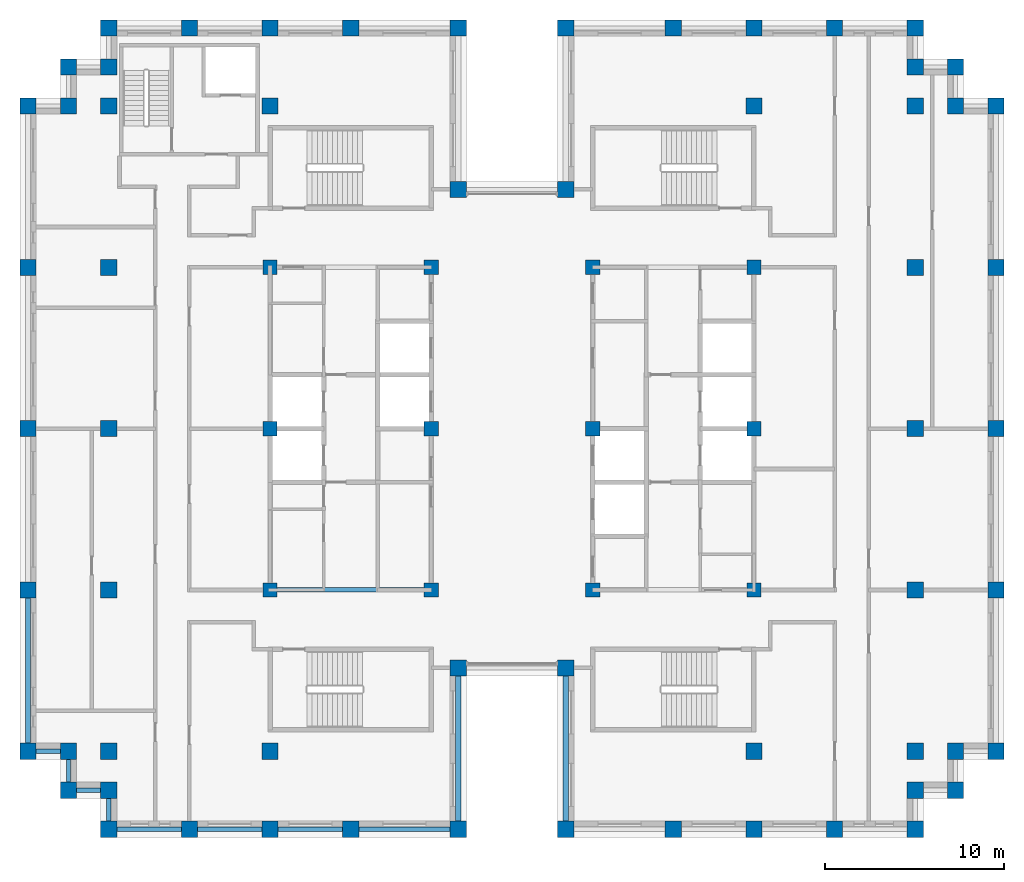
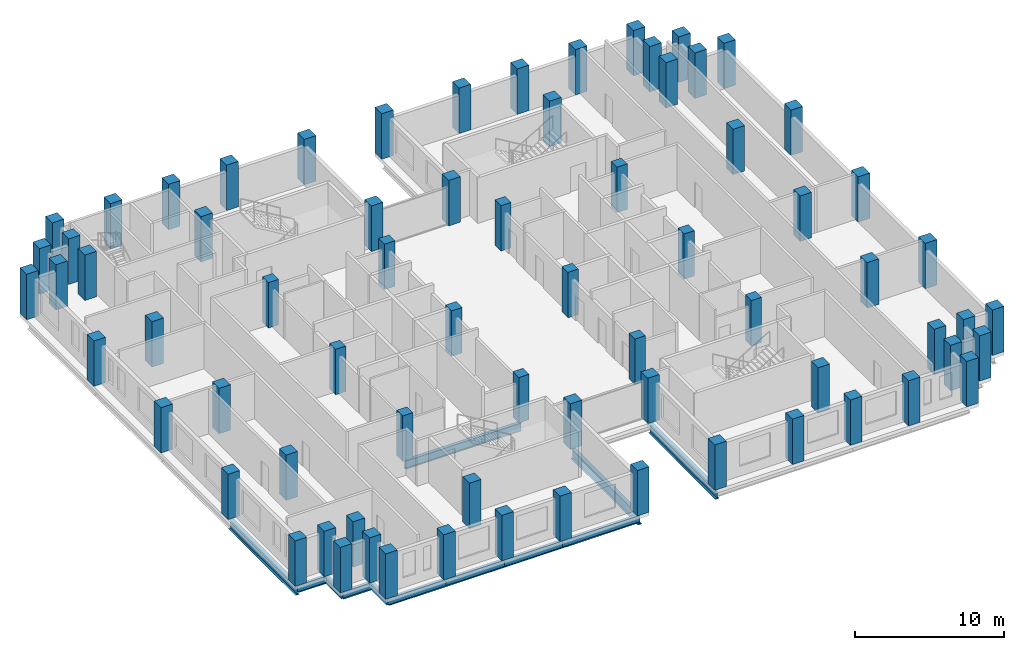
# One storey, part 1 of 13: 72 columns, 12 beams.
"""IFC4 building model written with IfcOpenShell, lengths in metres."""

from ifc_helpers import new_model, si_unit, direction, frame, origin, origin_2d, place, context, subcontext, project, spatial, rectangle, i_section, extrude, material, material_profile, profile_set, type_object, element, save


model = new_model("IFC4")

# Units and contexts
model_context = context("Model", 3, precision=1e-05, world=origin(), true_north=direction((0.0, 1.0)))
body_context = subcontext(model_context, "Body", "Model", "MODEL_VIEW")
ifc_project = project(units=[si_unit("LENGTHUNIT", "METRE"), si_unit("AREAUNIT", "SQUARE_METRE"), si_unit("VOLUMEUNIT", "CUBIC_METRE"), si_unit("PLANEANGLEUNIT", "RADIAN"), si_unit("MASSUNIT", "GRAM", prefix="KILO")], contexts=[model_context])

# Site, building, storey
site_placement = place(None, origin())
site = spatial("IfcSite", under=ifc_project, at=site_placement, CompositionType="ELEMENT")
building_placement = place(site_placement, origin())
building = spatial("IfcBuilding", under=site, at=building_placement, Name="Corbelhall Arena Tower", CompositionType="ELEMENT")
storey_placement = place(building_placement, frame((0.0, 0.0, 270.0)))
storey = spatial("IfcBuildingStorey", under=building, at=storey_placement, Name="L58", CompositionType="ELEMENT", Elevation=270.0)

# Columns
ifc_material_1 = material(Name="Concrete C80/95", Category="concrete")
ifc_material_profile_1 = material_profile(ifc_material_1, rectangle(XDim=0.800048828125, YDim=0.800048828125, at=origin_2d()))
ifc_profile_set_1 = profile_set([ifc_material_profile_1], Name="Concrete C80/95")
column_type_1 = type_object("IfcColumnType", Name="ST-COL-RC 800x800", PredefinedType="COLUMN", material=ifc_profile_set_1)
for number, where, z_axis, x_axis, name in (
    (1, (4.5, 0.0, 0.0), (0.0, 0.0, 1.0), (1.0, 0.0, 0.0), "Column KE+0450+0000"),
    (2, (4.5, 9.0, 0.0), (0.0, 0.0, 1.0), (1.0, 0.0, 0.0), "Column KE+0450+0900"),
    (3, (4.5, -9.0, 0.0), (0.0, 0.0, 1.0), (1.0, 0.0, 0.0), "Column KE+0450-0900"),
    (4, (13.5, 0.0, 0.0), (0.0, 0.0, 1.0), (1.0, 0.0, 0.0), "Column KE+1350+0000"),
    (5, (13.5, 9.0, 0.0), (0.0, 0.0, 1.0), (1.0, 0.0, 0.0), "Column KE+1350+0900"),
    (6, (13.5, -9.0, 0.0), (0.0, 0.0, 1.0), (1.0, 0.0, 0.0), "Column KE+1350-0900"),
    (7, (-4.5, 0.0, 0.0), (0.0, 0.0, 1.0), (1.0, 0.0, 0.0), "Column KW-0450+0000"),
    (8, (-4.5, 9.0, 0.0), (0.0, 0.0, 1.0), (1.0, 0.0, 0.0), "Column KW-0450+0900"),
    (9, (-4.5, -9.0, 0.0), (0.0, 0.0, 1.0), (1.0, 0.0, 0.0), "Column KW-0450-0900"),
    (10, (-13.5, 0.0, 0.0), (0.0, 0.0, 1.0), (1.0, 0.0, 0.0), "Column KW-1350+0000"),
    (11, (-13.5, 9.0, 0.0), (0.0, 0.0, 1.0), (1.0, 0.0, 0.0), "Column KW-1350+0900"),
    (12, (-13.5, -9.0, 0.0), (0.0, 0.0, 1.0), (1.0, 0.0, 0.0), "Column KW-1350-0900"),
):
    element("IfcColumn", number, at=place(storey_placement, frame(where, z_axis=z_axis, x_axis=x_axis)), inside=storey, type_object=column_type_1, Name=name, PredefinedType="COLUMN", context=body_context, shape_type="SweptSolid", body=[
        extrude(rectangle(XDim=0.800048828125, YDim=0.800048828125, at=origin_2d()), origin(), (0.0, 0.0, 1.0), 3.719970703125),
    ])
ifc_material_profile_2 = material_profile(ifc_material_1, rectangle(XDim=0.89990234375, YDim=0.89990234375, at=origin_2d()))
ifc_profile_set_2 = profile_set([ifc_material_profile_2], Name="Concrete C80/95")
column_type_2 = type_object("IfcColumnType", Name="ST-COL-RC 900x900", PredefinedType="COLUMN", material=ifc_profile_set_2)
for number, where, z_axis, x_axis, name in (
    (13, (13.5, 18.0, 0.0), (0.0, 0.0, 1.0), (1.0, 0.0, 0.0), "Column IE13+1800"),
    (14, (13.5, -18.0, 0.0), (0.0, 0.0, 1.0), (1.0, 0.0, 0.0), "Column IE13-1800"),
    (15, (22.5, 0.0, 0.0), (0.0, 0.0, 1.0), (1.0, 0.0, 0.0), "Column IE22+0000"),
    (16, (22.5, 9.0, 0.0), (0.0, 0.0, 1.0), (1.0, 0.0, 0.0), "Column IE22+0900"),
    (17, (22.5, 18.0, 0.0), (0.0, 0.0, 1.0), (1.0, 0.0, 0.0), "Column IE22+1800"),
    (18, (22.5, -9.0, 0.0), (0.0, 0.0, 1.0), (1.0, 0.0, 0.0), "Column IE22-0900"),
    (19, (22.5, -18.0, 0.0), (0.0, 0.0, 1.0), (1.0, 0.0, 0.0), "Column IE22-1800"),
    (20, (-13.5, 18.0, 0.0), (0.0, 0.0, 1.0), (1.0, 0.0, 0.0), "Column IW13+1800"),
    (21, (-13.5, -18.0, 0.0), (0.0, 0.0, 1.0), (1.0, 0.0, 0.0), "Column IW13-1800"),
    (22, (-22.5, 0.0, 0.0), (0.0, 0.0, 1.0), (1.0, 0.0, 0.0), "Column IW22+0000"),
    (23, (-22.5, 9.0, 0.0), (0.0, 0.0, 1.0), (1.0, 0.0, 0.0), "Column IW22+0900"),
    (24, (-22.5, 18.0, 0.0), (0.0, 0.0, 1.0), (1.0, 0.0, 0.0), "Column IW22+1800"),
    (25, (-22.5, -9.0, 0.0), (0.0, 0.0, 1.0), (1.0, 0.0, 0.0), "Column IW22-0900"),
    (26, (-22.5, -18.0, 0.0), (0.0, 0.0, 1.0), (1.0, 0.0, 0.0), "Column IW22-1800"),
    (27, (27.0, 0.0, 0.0), (0.0, 0.0, 1.0), (0.0, 1.0, 0.0), "Column PE+0000"),
    (28, (27.0, 9.0, 0.0), (0.0, 0.0, 1.0), (0.0, 1.0, 0.0), "Column PE+0900"),
    (29, (27.0, 18.0, 0.0), (0.0, 0.0, 1.0), (0.0, 1.0, 0.0), "Column PE+1800"),
    (30, (27.0, -9.0, 0.0), (0.0, 0.0, 1.0), (0.0, 1.0, 0.0), "Column PE-0900"),
    (31, (27.0, -18.0, 0.0), (0.0, 0.0, 1.0), (0.0, 1.0, 0.0), "Column PE-1800"),
    (32, (3.0, 22.35009765625, 0.0), (0.0, 0.0, 1.0), (1.0, 0.0, 0.0), "Column PNE0300"),
    (33, (9.0, 22.35009765625, 0.0), (0.0, 0.0, 1.0), (1.0, 0.0, 0.0), "Column PNE0900"),
    (34, (13.5, 22.35009765625, 0.0), (0.0, 0.0, 1.0), (1.0, 0.0, 0.0), "Column PNE1350"),
    (35, (18.0, 22.35009765625, 0.0), (0.0, 0.0, 1.0), (1.0, 0.0, 0.0), "Column PNE1800"),
    (36, (22.5, 22.35009765625, 0.0), (0.0, 0.0, 1.0), (1.0, 0.0, 0.0), "Column PNE2250"),
    (37, (-3.0, 22.35009765625, 0.0), (0.0, 0.0, 1.0), (1.0, 0.0, 0.0), "Column PNW0300"),
    (38, (-9.0, 22.35009765625, 0.0), (0.0, 0.0, 1.0), (1.0, 0.0, 0.0), "Column PNW0900"),
    (39, (-13.5, 22.35009765625, 0.0), (0.0, 0.0, 1.0), (1.0, 0.0, 0.0), "Column PNW1350"),
    (40, (-18.0, 22.35009765625, 0.0), (0.0, 0.0, 1.0), (1.0, 0.0, 0.0), "Column PNW1800"),
    (41, (-22.5, 22.35009765625, 0.0), (0.0, 0.0, 1.0), (1.0, 0.0, 0.0), "Column PNW2250"),
    (42, (3.0, -22.35009765625, 0.0), (0.0, 0.0, 1.0), (1.0, 0.0, 0.0), "Column PSE0300"),
    (43, (9.0, -22.35009765625, 0.0), (0.0, 0.0, 1.0), (1.0, 0.0, 0.0), "Column PSE0900"),
    (44, (13.5, -22.35009765625, 0.0), (0.0, 0.0, 1.0), (1.0, 0.0, 0.0), "Column PSE1350"),
    (45, (18.0, -22.35009765625, 0.0), (0.0, 0.0, 1.0), (1.0, 0.0, 0.0), "Column PSE1800"),
    (46, (22.5, -22.35009765625, 0.0), (0.0, 0.0, 1.0), (1.0, 0.0, 0.0), "Column PSE2250"),
    (47, (-3.0, -22.35009765625, 0.0), (0.0, 0.0, 1.0), (1.0, 0.0, 0.0), "Column PSW0300"),
    (48, (-9.0, -22.35009765625, 0.0), (0.0, 0.0, 1.0), (1.0, 0.0, 0.0), "Column PSW0900"),
    (49, (-13.5, -22.35009765625, 0.0), (0.0, 0.0, 1.0), (1.0, 0.0, 0.0), "Column PSW1350"),
    (50, (-18.0, -22.35009765625, 0.0), (0.0, 0.0, 1.0), (1.0, 0.0, 0.0), "Column PSW1800"),
    (51, (-22.5, -22.35009765625, 0.0), (0.0, 0.0, 1.0), (1.0, 0.0, 0.0), "Column PSW2250"),
    (52, (-27.0, 0.0, 0.0), (0.0, 0.0, 1.0), (0.0, 1.0, 0.0), "Column PW+0000"),
    (53, (-27.0, 9.0, 0.0), (0.0, 0.0, 1.0), (0.0, 1.0, 0.0), "Column PW+0900"),
    (54, (-27.0, 18.0, 0.0), (0.0, 0.0, 1.0), (0.0, 1.0, 0.0), "Column PW+1800"),
    (55, (-27.0, -9.0, 0.0), (0.0, 0.0, 1.0), (0.0, 1.0, 0.0), "Column PW-0900"),
    (56, (-27.0, -18.0, 0.0), (0.0, 0.0, 1.0), (0.0, 1.0, 0.0), "Column PW-1800"),
    (57, (3.0, 13.35009765625, 0.0), (0.0, 0.0, 1.0), (1.0, 0.0, 0.0), "Column SLNE2"),
    (58, (-3.0, 13.35009765625, 0.0), (0.0, 0.0, 1.0), (1.0, 0.0, 0.0), "Column SLNW2"),
    (59, (3.0, -13.35009765625, 0.0), (0.0, 0.0, 1.0), (1.0, 0.0, 0.0), "Column SLSE2"),
    (60, (-3.0, -13.35009765625, 0.0), (0.0, 0.0, 1.0), (1.0, 0.0, 0.0), "Column SLSW2"),
    (61, (22.5, 20.175048828125, 0.0), (0.0, 0.0, 1.0), (1.0, 0.0, 0.0), "Column XNE1"),
    (62, (24.75, 20.175048828125, 0.0), (0.0, 0.0, 1.0), (1.0, 0.0, 0.0), "Column XNE2"),
    (63, (24.75, 18.0, 0.0), (0.0, 0.0, 1.0), (1.0, 0.0, 0.0), "Column XNE3"),
    (64, (-22.5, 20.175048828125, 0.0), (0.0, 0.0, 1.0), (1.0, 0.0, 0.0), "Column XNW1"),
    (65, (-24.75, 20.175048828125, 0.0), (0.0, 0.0, 1.0), (1.0, 0.0, 0.0), "Column XNW2"),
    (66, (-24.75, 18.0, 0.0), (0.0, 0.0, 1.0), (1.0, 0.0, 0.0), "Column XNW3"),
    (67, (22.5, -20.175048828125, 0.0), (0.0, 0.0, 1.0), (1.0, 0.0, 0.0), "Column XSE1"),
    (68, (24.75, -20.175048828125, 0.0), (0.0, 0.0, 1.0), (1.0, 0.0, 0.0), "Column XSE2"),
    (69, (24.75, -18.0, 0.0), (0.0, 0.0, 1.0), (1.0, 0.0, 0.0), "Column XSE3"),
    (70, (-22.5, -20.175048828125, 0.0), (0.0, 0.0, 1.0), (1.0, 0.0, 0.0), "Column XSW1"),
    (71, (-24.75, -20.175048828125, 0.0), (0.0, 0.0, 1.0), (1.0, 0.0, 0.0), "Column XSW2"),
    (72, (-24.75, -18.0, 0.0), (0.0, 0.0, 1.0), (1.0, 0.0, 0.0), "Column XSW3"),
):
    element("IfcColumn", number, at=place(storey_placement, frame(where, z_axis=z_axis, x_axis=x_axis)), inside=storey, type_object=column_type_2, Name=name, PredefinedType="COLUMN", context=body_context, shape_type="SweptSolid", body=[
        extrude(rectangle(XDim=0.89990234375, YDim=0.89990234375, at=origin_2d()), origin(), (0.0, 0.0, 1.0), 3.719970703125),
    ])

# Beams
ifc_material_2 = material(Name="Steel ASTM A992 Gr50", Category="steel")
ifc_material_profile_3 = material_profile(ifc_material_2, i_section(OverallWidth=0.25390625, OverallDepth=0.67822265625, WebThickness=0.01171875, FlangeThickness=0.016357421875, at=origin_2d()))
ifc_profile_set_3 = profile_set([ifc_material_profile_3], Name="Steel ASTM A992 Gr50")
beam_type_1 = type_object("IfcBeamType", Name="ST-BEAM-W27x84", PredefinedType="BEAM", material=ifc_profile_set_3)
beam_1_placement = place(storey_placement, frame((-13.5, -9.0, -0.619140625), z_axis=(1.0, 0.0, 0.0), x_axis=(0.0, 1.0, 0.0)))
element("IfcBeam", 73, at=beam_1_placement, inside=storey, type_object=beam_type_1, Name="Beam CEW 5", PredefinedType="BEAM", context=body_context, shape_type="SweptSolid", body=[
    extrude(i_section(OverallWidth=0.25390625, OverallDepth=0.67822265625, WebThickness=0.01171875, FlangeThickness=0.016357421875, at=origin_2d()), origin(), (0.0, 0.0, 1.0), 9.0),
])
ifc_material_profile_4 = material_profile(ifc_material_2, i_section(OverallWidth=0.227783203125, OverallDepth=0.60205078125, WebThickness=0.010498046875, FlangeThickness=0.014892578125, at=origin_2d()))
ifc_profile_set_4 = profile_set([ifc_material_profile_4], Name="Steel ASTM A992 Gr50")
beam_type_2 = type_object("IfcBeamType", Name="ST-SPANDREL-W24x68", PredefinedType="SPANDREL", material=ifc_profile_set_4)
beam_2_placement = place(storey_placement, frame((-3.0, -22.35009765625, -0.5810546875), z_axis=(-1.0, 0.0, 0.0), x_axis=(0.0, -1.0, 0.0)))
element("IfcBeam", 74, at=beam_2_placement, inside=storey, type_object=beam_type_2, Name="Beam SP 21", PredefinedType="SPANDREL", context=body_context, shape_type="SweptSolid", body=[
    extrude(i_section(OverallWidth=0.227783203125, OverallDepth=0.60205078125, WebThickness=0.010498046875, FlangeThickness=0.014892578125, at=origin_2d()), origin(), (0.0, 0.0, 1.0), 6.0),
])
for number, where, z_axis, x_axis, name in (
    (75, (-9.0, -22.35009765625, -0.5810546875), (-1.0, 0.0, 0.0), (0.0, -1.0, 0.0), "Beam SP 22"),
    (76, (-13.5, -22.35009765625, -0.5810546875), (-1.0, 0.0, 0.0), (0.0, -1.0, 0.0), "Beam SP 23"),
    (77, (-18.0, -22.35009765625, -0.5810546875), (-1.0, 0.0, 0.0), (0.0, -1.0, 0.0), "Beam SP 24"),
):
    element("IfcBeam", number, at=place(storey_placement, frame(where, z_axis=z_axis, x_axis=x_axis)), inside=storey, type_object=beam_type_2, Name=name, PredefinedType="SPANDREL", context=body_context, shape_type="SweptSolid", body=[
        extrude(i_section(OverallWidth=0.227783203125, OverallDepth=0.60205078125, WebThickness=0.010498046875, FlangeThickness=0.014892578125, at=origin_2d()), origin(), (0.0, 0.0, 1.0), 4.5),
    ])
beam_3_placement = place(storey_placement, frame((-22.5, -22.35009765625, -0.5810546875), z_axis=(0.0, 1.0, 0.0), x_axis=(-1.0, 0.0, 0.0)))
element("IfcBeam", 78, at=beam_3_placement, inside=storey, type_object=beam_type_2, Name="Beam SP 25", PredefinedType="SPANDREL", context=body_context, shape_type="SweptSolid", body=[
    extrude(i_section(OverallWidth=0.227783203125, OverallDepth=0.60205078125, WebThickness=0.010498046875, FlangeThickness=0.014892578125, at=origin_2d()), origin(), (0.0, 0.0, 1.0), 2.175048828125),
])
beam_4_placement = place(storey_placement, frame((-22.5, -20.175048828125, -0.5810546875), z_axis=(-1.0, 0.0, 0.0), x_axis=(0.0, -1.0, 0.0)))
element("IfcBeam", 79, at=beam_4_placement, inside=storey, type_object=beam_type_2, Name="Beam SP 44", PredefinedType="SPANDREL", context=body_context, shape_type="SweptSolid", body=[
    extrude(i_section(OverallWidth=0.227783203125, OverallDepth=0.60205078125, WebThickness=0.010498046875, FlangeThickness=0.014892578125, at=origin_2d()), origin(), (0.0, 0.0, 1.0), 2.25),
])
beam_5_placement = place(storey_placement, frame((-24.75, -20.175048828125, -0.5810546875), z_axis=(0.0, 1.0, 0.0), x_axis=(-1.0, 0.0, 0.0)))
element("IfcBeam", 80, at=beam_5_placement, inside=storey, type_object=beam_type_2, Name="Beam SP 45", PredefinedType="SPANDREL", context=body_context, shape_type="SweptSolid", body=[
    extrude(i_section(OverallWidth=0.227783203125, OverallDepth=0.60205078125, WebThickness=0.010498046875, FlangeThickness=0.014892578125, at=origin_2d()), origin(), (0.0, 0.0, 1.0), 2.175048828125),
])
beam_6_placement = place(storey_placement, frame((-24.75, -18.0, -0.5810546875), z_axis=(-1.0, 0.0, 0.0), x_axis=(0.0, -1.0, 0.0)))
element("IfcBeam", 81, at=beam_6_placement, inside=storey, type_object=beam_type_2, Name="Beam SP 46", PredefinedType="SPANDREL", context=body_context, shape_type="SweptSolid", body=[
    extrude(i_section(OverallWidth=0.227783203125, OverallDepth=0.60205078125, WebThickness=0.010498046875, FlangeThickness=0.014892578125, at=origin_2d()), origin(), (0.0, 0.0, 1.0), 2.25),
])
ifc_material_profile_5 = material_profile(ifc_material_2, i_section(OverallWidth=0.2919921875, OverallDepth=0.845703125, WebThickness=0.015380859375, FlangeThickness=0.0244140625, at=origin_2d()))
ifc_profile_set_5 = profile_set([ifc_material_profile_5], Name="Steel ASTM A992 Gr50")
beam_type_3 = type_object("IfcBeamType", Name="ST-SPANDREL-W33x141", PredefinedType="SPANDREL", material=ifc_profile_set_5)
for number, where, z_axis, x_axis, name in (
    (82, (3.0, -22.35009765625, -0.702880859375), (0.0, 1.0, 0.0), (-1.0, 0.0, 0.0), "Beam SP 16"),
    (83, (-27.0, -18.0, -0.702880859375), (0.0, 1.0, 0.0), (-1.0, 0.0, 0.0), "Beam SP 30"),
    (84, (-3.0, -13.35009765625, -0.702880859375), (0.0, -1.0, 0.0), (1.0, 0.0, 0.0), "Beam SP 34"),
):
    element("IfcBeam", number, at=place(storey_placement, frame(where, z_axis=z_axis, x_axis=x_axis)), inside=storey, type_object=beam_type_3, Name=name, PredefinedType="SPANDREL", context=body_context, shape_type="SweptSolid", body=[
        extrude(i_section(OverallWidth=0.2919921875, OverallDepth=0.845703125, WebThickness=0.015380859375, FlangeThickness=0.0244140625, at=origin_2d()), origin(), (0.0, 0.0, 1.0), 9.0),
    ])

save(model, "model.ifc")
